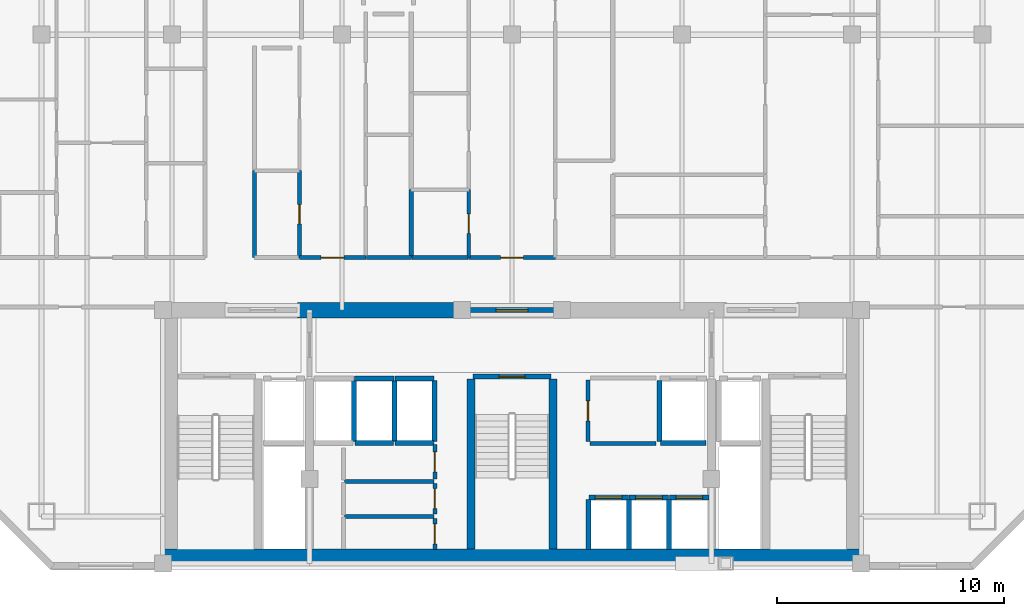
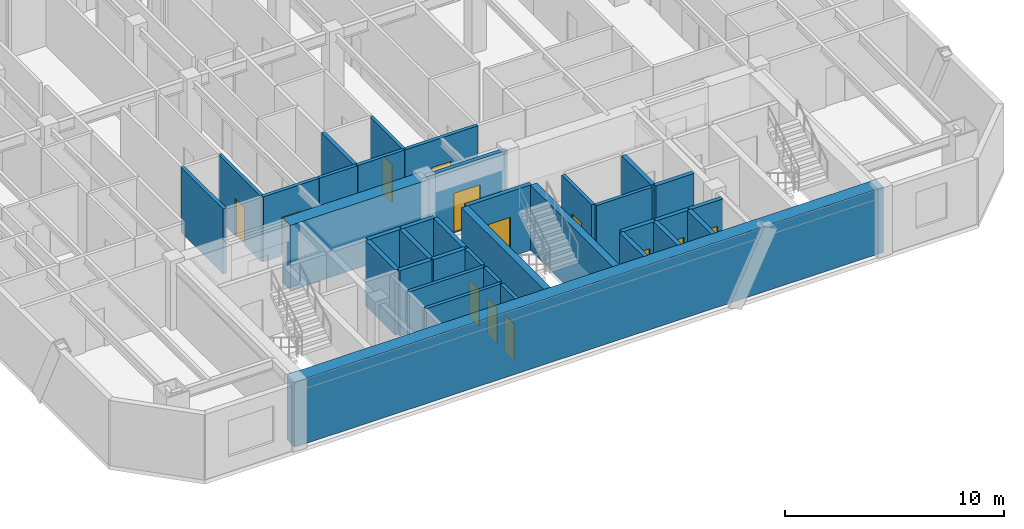
# One storey, part 3 of 9: 36 walls, 13 doors, 13 openings.
"""IFC4 building model written with IfcOpenShell, lengths in metres."""

from ifc_helpers import new_model, si_unit, direction, frame, frame_2d, origin, place, context, subcontext, project, spatial, rectangle, extrude, material, layer, layer_set, type_object, element, fill, save


model = new_model("IFC4")

# Units and contexts
model_context = context("Model", 3, precision=1e-05, world=origin(), true_north=direction((0.0, 1.0)))
body_context = subcontext(model_context, "Body", "Model", "MODEL_VIEW")
ifc_project = project(units=[si_unit("LENGTHUNIT", "METRE"), si_unit("AREAUNIT", "SQUARE_METRE"), si_unit("VOLUMEUNIT", "CUBIC_METRE"), si_unit("PLANEANGLEUNIT", "RADIAN"), si_unit("MASSUNIT", "GRAM", prefix="KILO")], contexts=[model_context])

# Site, building, storey
site_placement = place(None, origin())
site = spatial("IfcSite", under=ifc_project, at=site_placement, CompositionType="ELEMENT")
building_placement = place(site_placement, origin())
building = spatial("IfcBuilding", under=site, at=building_placement, Name="Ventersveld Concourse Tower", CompositionType="ELEMENT")
storey_placement = place(building_placement, frame((0.0, 0.0, 172.14990234375)))
storey = spatial("IfcBuildingStorey", under=building, at=storey_placement, Name="L42", CompositionType="ELEMENT", Elevation=172.14990234375)

# Walls
ifc_material_1 = material(Name="Concrete C60/75", Category="concrete")
ifc_layer_1 = layer(ifc_material_1, 0.35009765625)
ifc_layer_set_1 = layer_set([ifc_layer_1], Name="Concrete C60/75")
wall_type_1 = type_object("IfcWallType", Name="WL-CORE-350L", PredefinedType="SHEAR", material=ifc_layer_set_1)
for number, where, z_axis, x_axis, name in (
    (1, (26.93994140625, 0.919921875, 0.0), (0.0, 0.0, 1.0), (0.0, 1.0, 0.0), "L42 Core Internal Shear Web W-ST3-W"),
    (2, (30.56005859375, 0.919921875, 0.0), (0.0, 0.0, 1.0), (0.0, 1.0, 0.0), "L42 Core Internal Shear Web W-ST3-E"),
):
    element("IfcWall", number, at=place(storey_placement, frame(where, z_axis=z_axis, x_axis=x_axis)), inside=storey, type_object=wall_type_1, Name=name, PredefinedType="SHEAR", context=body_context, shape_type="SweptSolid", body=[
        extrude(rectangle(XDim=7.5, YDim=0.35009765625, at=frame_2d((3.75, 0.0))), origin(), (0.0, 0.0, 1.0), 3.630126953125),
    ])
ifc_layer_2 = layer(ifc_material_1, 0.699951171875)
ifc_layer_set_2 = layer_set([ifc_layer_2], Name="Concrete C60/75")
wall_type_2 = type_object("IfcWallType", Name="WL-CORE-700", PredefinedType="SHEAR", material=ifc_layer_set_2)
wall_1_placement = place(storey_placement, frame((13.25, 0.570068359375, 0.0), z_axis=(0.0, 0.0, 1.0), x_axis=(1.0, 0.0, 0.0)))
element("IfcWall", 3, at=wall_1_placement, inside=storey, type_object=wall_type_2, Name="L42 Rear Core South Shear Wall", PredefinedType="SHEAR", context=body_context, shape_type="SweptSolid", body=[
    extrude(rectangle(XDim=31.0, YDim=0.699951171875, at=frame_2d((15.5, 0.0))), origin(), (0.0, 0.0, 1.0), 3.630126953125),
])
wall_2_placement = place(storey_placement, frame((19.300048828125, 11.449951171875, 0.0), z_axis=(0.0, 0.0, 1.0), x_axis=(1.0, 0.0, 0.0)))
element("IfcWall", 4, at=wall_2_placement, inside=storey, type_object=wall_type_2, Name="L42 Rear Core North Shear Wall NML", PredefinedType="SHEAR", context=body_context, shape_type="SweptSolid", body=[
    extrude(rectangle(XDim=7.300048828125, YDim=0.699951171875, at=frame_2d((3.64990234375, 0.0))), origin(), (0.0, 0.0, 1.0), 3.630126953125),
])

# Wall, opening, door
ifc_material_2 = material(Name="Fire-rated autoclaved aerated masonry blockwork", Category="masonry")
ifc_layer_3 = layer(ifc_material_2, 0.179931640625)
ifc_layer_set_3 = layer_set([ifc_layer_3], Name="Fire-rated autoclaved aerated masonry blockwork")
wall_type_3 = type_object("IfcWallType", Name="WL-CORR-180", PredefinedType="PARTITIONING", material=ifc_layer_set_3)
wall_3_placement = place(storey_placement, frame((25.35009765625, 0.89990234375, 0.0), z_axis=(0.0, 0.0, 1.0), x_axis=(0.0, 1.0, 0.0)))
wall_3 = element("IfcWall", 5, at=wall_3_placement, inside=storey, type_object=wall_type_3, Name="L42 Core Passage Wall SP-L42-RECB1S", PredefinedType="PARTITIONING", context=body_context, shape_type="SweptSolid", body=[
    extrude(rectangle(XDim=1.3701171875, YDim=0.179931640625, at=frame_2d((0.68505859375, 0.0))), origin(), (0.0, 0.0, 1.0), 3.630126953125),
])
opening_1_placement = place(wall_3_placement, frame((0.2451171875, 0.0, 0.0)))
opening_1 = element("IfcOpeningElement", 6, at=opening_1_placement, cuts=wall_3, Name="Opening FD5", PredefinedType="OPENING", context=body_context, shape_type="SweptSolid", body=[
    extrude(rectangle(XDim=0.8798828125, YDim=2.050048828125, at=frame_2d((0.43994140625, 1.02490234375))), frame((0.0, 0.10009765625, 0.0), z_axis=(0.0, -1.0, 0.0), x_axis=(1.0, 0.0, 0.0)), (0.0, 0.0, 1.0), 0.199951171875),
])
ifc_material_3 = material(Name="Galvanised painted steel", Category="steel")
door_type_1 = type_object("IfcDoorType", Name="DR-RISER-088", OperationType="NOTDEFINED", PredefinedType="DOOR", material=ifc_material_3)
door_1_placement = place(opening_1_placement, origin())
door_1 = element("IfcDoor", 7, at=door_1_placement, inside=storey, type_object=door_type_1, Name="L42 Core Room Door L42 Reclaimed Core Wine Cellar Store (CD-L42-2047)", OperationType="SINGLE_SWING_RIGHT", OverallHeight=2.050048828125, OverallWidth=0.8798828125, PredefinedType="DOOR", context=body_context, shape_type="SweptSolid", body=[
    extrude(rectangle(XDim=0.8798828125, YDim=2.050048828125, at=frame_2d((0.43994140625, 1.02490234375))), frame((0.0, 0.02490234375, 0.0), z_axis=(0.0, -1.0, 0.0), x_axis=(1.0, 0.0, 0.0)), (0.0, 0.0, 1.0), 0.050048828125),
])
fill(opening_1, door_1)

# Wall
wall_4_placement = place(storey_placement, frame((21.360107421875, 2.360107421875, 0.0), z_axis=(0.0, 0.0, 1.0), x_axis=(1.0, 0.0, 0.0)))
element("IfcWall", 8, at=wall_4_placement, inside=storey, type_object=wall_type_3, Name="L42 Core Top Wall SP-L42-RECB1S", PredefinedType="PARTITIONING", context=body_context, shape_type="SweptSolid", body=[
    extrude(rectangle(XDim=3.93994140625, YDim=0.179931640625, at=frame_2d((1.969970703125, 0.0))), origin(), (0.0, 0.0, 1.0), 3.630126953125),
])

# Wall, opening, door
wall_5_placement = place(storey_placement, frame((25.35009765625, 2.469970703125, 0.0), z_axis=(0.0, 0.0, 1.0), x_axis=(0.0, 1.0, 0.0)))
wall_5 = element("IfcWall", 9, at=wall_5_placement, inside=storey, type_object=wall_type_3, Name="L42 Core Passage Wall SP-L42-RECB1M", PredefinedType="PARTITIONING", context=body_context, shape_type="SweptSolid", body=[
    extrude(rectangle(XDim=1.340087890625, YDim=0.179931640625, at=frame_2d((0.669921875, 0.0))), origin(), (0.0, 0.0, 1.0), 3.630126953125),
])
opening_2_placement = place(wall_5_placement, frame((0.22998046875, 0.0, 0.0)))
opening_2 = element("IfcOpeningElement", 10, at=opening_2_placement, cuts=wall_5, Name="Opening FD5", PredefinedType="OPENING", context=body_context, shape_type="SweptSolid", body=[
    extrude(rectangle(XDim=0.8798828125, YDim=2.050048828125, at=frame_2d((0.43994140625, 1.02490234375))), frame((0.0, 0.10009765625, 0.0), z_axis=(0.0, -1.0, 0.0), x_axis=(1.0, 0.0, 0.0)), (0.0, 0.0, 1.0), 0.199951171875),
])
door_2_placement = place(opening_2_placement, origin())
door_2 = element("IfcDoor", 11, at=door_2_placement, inside=storey, type_object=door_type_1, Name="L42 Core Room Door L42 Reclaimed Core Archive Store (CD-L42-2048)", OperationType="SINGLE_SWING_LEFT", OverallHeight=2.050048828125, OverallWidth=0.8798828125, PredefinedType="DOOR", context=body_context, shape_type="SweptSolid", body=[
    extrude(rectangle(XDim=0.8798828125, YDim=2.050048828125, at=frame_2d((0.43994140625, 1.02490234375))), frame((0.0, 0.02490234375, 0.0), z_axis=(0.0, -1.0, 0.0), x_axis=(1.0, 0.0, 0.0)), (0.0, 0.0, 1.0), 0.050048828125),
])
fill(opening_2, door_2)

# Wall
wall_6_placement = place(storey_placement, frame((21.360107421875, 3.89990234375, 0.0), z_axis=(0.0, 0.0, 1.0), x_axis=(1.0, 0.0, 0.0)))
element("IfcWall", 12, at=wall_6_placement, inside=storey, type_object=wall_type_3, Name="L42 Core Top Wall SP-L42-RECB1M", PredefinedType="PARTITIONING", context=body_context, shape_type="SweptSolid", body=[
    extrude(rectangle(XDim=3.93994140625, YDim=0.179931640625, at=frame_2d((1.969970703125, 0.0))), origin(), (0.0, 0.0, 1.0), 3.630126953125),
])

# Wall, opening, door
wall_7_placement = place(storey_placement, frame((25.35009765625, 4.010009765625, 0.0), z_axis=(0.0, 0.0, 1.0), x_axis=(0.0, 1.0, 0.0)))
wall_7 = element("IfcWall", 13, at=wall_7_placement, inside=storey, type_object=wall_type_3, Name="L42 Core Passage Wall SP-L42-RECB1N", PredefinedType="PARTITIONING", context=body_context, shape_type="SweptSolid", body=[
    extrude(rectangle(XDim=1.510009765625, YDim=0.179931640625, at=frame_2d((0.7548828125, 0.0))), origin(), (0.0, 0.0, 1.0), 3.630126953125),
])
opening_3_placement = place(wall_7_placement, frame((0.31494140625, 0.0, 0.0)))
opening_3 = element("IfcOpeningElement", 14, at=opening_3_placement, cuts=wall_7, Name="Opening FD5", PredefinedType="OPENING", context=body_context, shape_type="SweptSolid", body=[
    extrude(rectangle(XDim=0.8798828125, YDim=2.050048828125, at=frame_2d((0.43994140625, 1.02490234375))), frame((0.0, 0.10009765625, 0.0), z_axis=(0.0, -1.0, 0.0), x_axis=(1.0, 0.0, 0.0)), (0.0, 0.0, 1.0), 0.199951171875),
])
door_3_placement = place(opening_3_placement, origin())
door_3 = element("IfcDoor", 15, at=door_3_placement, inside=storey, type_object=door_type_1, Name="L42 Core Room Door L42 Reclaimed Core Pram and Cycle Store (CD-L42-2049)", OperationType="SINGLE_SWING_RIGHT", OverallHeight=2.050048828125, OverallWidth=0.8798828125, PredefinedType="DOOR", context=body_context, shape_type="SweptSolid", body=[
    extrude(rectangle(XDim=0.8798828125, YDim=2.050048828125, at=frame_2d((0.43994140625, 1.02490234375))), frame((0.0, 0.02490234375, 0.0), z_axis=(0.0, -1.0, 0.0), x_axis=(1.0, 0.0, 0.0)), (0.0, 0.0, 1.0), 0.050048828125),
])
fill(opening_3, door_3)

wall_8_placement = place(storey_placement, frame((32.10009765625, 5.64990234375, 0.0), z_axis=(0.0, 0.0, 1.0), x_axis=(0.0, 1.0, 0.0)))
wall_8 = element("IfcWall", 16, at=wall_8_placement, inside=storey, type_object=wall_type_3, Name="L42 Core Passage Wall SP-L42-CBAY1", PredefinedType="PARTITIONING", context=body_context, shape_type="SweptSolid", body=[
    extrude(rectangle(XDim=2.72998046875, YDim=0.179931640625, at=frame_2d((1.364990234375, 0.0))), origin(), (0.0, 0.0, 1.0), 3.630126953125),
])
opening_4_placement = place(wall_8_placement, frame((0.925048828125, 0.0, 0.0)))
opening_4 = element("IfcOpeningElement", 17, at=opening_4_placement, cuts=wall_8, Name="Opening FD5", PredefinedType="OPENING", context=body_context, shape_type="SweptSolid", body=[
    extrude(rectangle(XDim=0.8798828125, YDim=2.050048828125, at=frame_2d((0.43994140625, 1.02490234375))), frame((0.0, 0.10009765625, 0.0), z_axis=(0.0, -1.0, 0.0), x_axis=(1.0, 0.0, 0.0)), (0.0, 0.0, 1.0), 0.199951171875),
])
door_4_placement = place(opening_4_placement, origin())
door_4 = element("IfcDoor", 18, at=door_4_placement, inside=storey, type_object=door_type_1, Name="L42 Core Room Door L42 Core Housekeeping Linen Store (CD-L42-2050)", OperationType="SINGLE_SWING_LEFT", OverallHeight=2.050048828125, OverallWidth=0.8798828125, PredefinedType="DOOR", context=body_context, shape_type="SweptSolid", body=[
    extrude(rectangle(XDim=0.8798828125, YDim=2.050048828125, at=frame_2d((0.43994140625, 1.02490234375))), frame((0.0, 0.02490234375, 0.0), z_axis=(0.0, -1.0, 0.0), x_axis=(1.0, 0.0, 0.0)), (0.0, 0.0, 1.0), 0.050048828125),
])
fill(opening_4, door_4)

# Wall
wall_9_placement = place(storey_placement, frame((32.179931640625, 5.570068359375, 0.0), z_axis=(0.0, 0.0, 1.0), x_axis=(1.0, 0.0, 0.0)))
element("IfcWall", 19, at=wall_9_placement, inside=storey, type_object=wall_type_3, Name="L42 Core Bot Wall SP-L42-CBAY1", PredefinedType="PARTITIONING", context=body_context, shape_type="SweptSolid", body=[
    extrude(rectangle(XDim=2.920166015625, YDim=0.179931640625, at=frame_2d((1.4599609375, 0.0))), origin(), (0.0, 0.0, 1.0), 3.630126953125),
])

# Wall, opening, door
wall_10_placement = place(storey_placement, frame((19.370849609375, 13.77001953125, 0.0), z_axis=(0.0, 0.0, 1.0), x_axis=(1.0, 0.0, 0.0)))
wall_10 = element("IfcWall", 20, at=wall_10_placement, inside=storey, type_object=wall_type_3, Name="L42 Interior Partition SP-L42-COR-SP-L42-42CW-LIV", PredefinedType="PARTITIONING", context=body_context, shape_type="SweptSolid", body=[
    extrude(rectangle(XDim=2.930419921875, YDim=0.179931640625, at=frame_2d((1.46533203125, 0.0))), origin(), (0.0, 0.0, 1.0), 3.630126953125),
])
opening_5_placement = place(wall_10_placement, frame((0.965087890625, 0.0, 0.0)))
opening_5 = element("IfcOpeningElement", 21, at=opening_5_placement, cuts=wall_10, Name="Opening FD3", PredefinedType="OPENING", context=body_context, shape_type="SweptSolid", body=[
    extrude(rectangle(XDim=1.0, YDim=2.14990234375, at=frame_2d((0.5, 1.074951171875))), frame((0.0, 0.10009765625, 0.0), z_axis=(0.0, -1.0, 0.0), x_axis=(1.0, 0.0, 0.0)), (0.0, 0.0, 1.0), 0.199951171875),
])
ifc_material_4 = material(Name="Solid-core hardwood veneer timber", Category="wood")
door_type_2 = type_object("IfcDoorType", Name="DR-FLAT-100", OperationType="NOTDEFINED", PredefinedType="DOOR", material=ifc_material_4)
door_5_placement = place(opening_5_placement, origin())
door_5 = element("IfcDoor", 22, at=door_5_placement, inside=storey, type_object=door_type_2, Name="L42 Interior Door SP-L42-COR to SP-L42-42CW-LIV (FD-L42-2054)", OperationType="SINGLE_SWING_RIGHT", OverallHeight=2.14990234375, OverallWidth=1.0, PredefinedType="DOOR", context=body_context, shape_type="SweptSolid", body=[
    extrude(rectangle(XDim=1.0, YDim=2.14990234375, at=frame_2d((0.5, 1.074951171875))), frame((0.0, 0.02490234375, 0.0), z_axis=(0.0, -1.0, 0.0), x_axis=(1.0, 0.0, 0.0)), (0.0, 0.0, 1.0), 0.050048828125),
])
fill(opening_5, door_5)

# Walls
wall_11_placement = place(storey_placement, frame((17.389892578125, 13.764892578125, 0.0), z_axis=(0.0, 0.0, 1.0), x_axis=(0.0, 1.0, 0.0)))
element("IfcWall", 23, at=wall_11_placement, inside=storey, type_object=wall_type_3, Name="L42 Interior Partition SP-L42-COR-SP-L42-42CW-BATH", PredefinedType="PARTITIONING", context=body_context, shape_type="SweptSolid", body=[
    extrude(rectangle(XDim=3.844970703125, YDim=0.179931640625, at=frame_2d((1.92236328125, 0.0))), origin(), (0.0, 0.0, 1.0), 3.630126953125),
])
wall_12_placement = place(storey_placement, frame((22.331298828125, 13.77001953125, 0.0), z_axis=(0.0, 0.0, 1.0), x_axis=(1.0, 0.0, 0.0)))
element("IfcWall", 24, at=wall_12_placement, inside=storey, type_object=wall_type_3, Name="L42 Interior Partition SP-L42-COR-SP-L42-42CW-KIT", PredefinedType="PARTITIONING", context=body_context, shape_type="SweptSolid", body=[
    extrude(rectangle(XDim=1.983642578125, YDim=0.179931640625, at=frame_2d((0.99169921875, 0.0))), origin(), (0.0, 0.0, 1.0), 3.630126953125),
])

# Wall, opening, door
wall_13_placement = place(storey_placement, frame((26.833984375, 13.77001953125, 0.0), z_axis=(0.0, 0.0, 1.0), x_axis=(1.0, 0.0, 0.0)))
wall_13 = element("IfcWall", 25, at=wall_13_placement, inside=storey, type_object=wall_type_3, Name="L42 Interior Partition SP-L42-COR-SP-L42-42CM-LIV", PredefinedType="PARTITIONING", context=body_context, shape_type="SweptSolid", body=[
    extrude(rectangle(XDim=3.83203125, YDim=0.179931640625, at=frame_2d((1.916015625, 0.0))), origin(), (0.0, 0.0, 1.0), 3.630126953125),
])
opening_6_placement = place(wall_13_placement, frame((1.416015625, 0.0, 0.0)))
opening_6 = element("IfcOpeningElement", 26, at=opening_6_placement, cuts=wall_13, Name="Opening FD3", PredefinedType="OPENING", context=body_context, shape_type="SweptSolid", body=[
    extrude(rectangle(XDim=1.0, YDim=2.14990234375, at=frame_2d((0.5, 1.074951171875))), frame((0.0, 0.10009765625, 0.0), z_axis=(0.0, -1.0, 0.0), x_axis=(1.0, 0.0, 0.0)), (0.0, 0.0, 1.0), 0.199951171875),
])
door_6_placement = place(opening_6_placement, origin())
door_6 = element("IfcDoor", 27, at=door_6_placement, inside=storey, type_object=door_type_2, Name="L42 Interior Door SP-L42-COR to SP-L42-42CM-LIV (FD-L42-2056)", OperationType="SINGLE_SWING_RIGHT", OverallHeight=2.14990234375, OverallWidth=1.0, PredefinedType="DOOR", context=body_context, shape_type="SweptSolid", body=[
    extrude(rectangle(XDim=1.0, YDim=2.14990234375, at=frame_2d((0.5, 1.074951171875))), frame((0.0, 0.02490234375, 0.0), z_axis=(0.0, -1.0, 0.0), x_axis=(1.0, 0.0, 0.0)), (0.0, 0.0, 1.0), 0.050048828125),
])
fill(opening_6, door_6)

# Walls
wall_14_placement = place(storey_placement, frame((24.344970703125, 13.77001953125, 0.0), z_axis=(0.0, 0.0, 1.0), x_axis=(1.0, 0.0, 0.0)))
element("IfcWall", 28, at=wall_14_placement, inside=storey, type_object=wall_type_3, Name="L42 Interior Partition SP-L42-COR-SP-L42-42CM-BATH", PredefinedType="PARTITIONING", context=body_context, shape_type="SweptSolid", body=[
    extrude(rectangle(XDim=2.458984375, YDim=0.179931640625, at=frame_2d((1.2294921875, 0.0))), origin(), (0.0, 0.0, 1.0), 3.630126953125),
])
ifc_layer_4 = layer(ifc_material_2, 0.199951171875)
ifc_layer_set_4 = layer_set([ifc_layer_4], Name="Fire-rated autoclaved aerated masonry blockwork")
wall_type_4 = type_object("IfcWallType", Name="WL-DEMISE-200", PredefinedType="PARTITIONING", material=ifc_layer_set_4)
wall_15_placement = place(storey_placement, frame((24.31005859375, 13.764892578125, 0.0), z_axis=(0.0, 0.0, 1.0), x_axis=(0.0, 1.0, 0.0)))
element("IfcWall", 29, at=wall_15_placement, inside=storey, type_object=wall_type_4, Name="L42 Interior Partition SP-L42-42CW-KIT-SP-L42-42CM-BATH", PredefinedType="PARTITIONING", context=body_context, shape_type="SweptSolid", body=[
    extrude(rectangle(XDim=2.999755859375, YDim=0.199951171875, at=frame_2d((1.5, 0.0))), origin(), (0.0, 0.0, 1.0), 3.630126953125),
])
ifc_layer_5 = layer(ifc_material_2, 0.219970703125)
ifc_layer_set_5 = layer_set([ifc_layer_5], Name="Fire-rated autoclaved aerated masonry blockwork")
wall_type_5 = type_object("IfcWallType", Name="WL-HOIST-220", PredefinedType="SOLIDWALL", material=ifc_layer_set_5)
wall_16_placement = place(storey_placement, frame((35.300048828125, 5.590087890625, 0.0), z_axis=(0.0, 0.0, 1.0), x_axis=(1.0, 0.0, 0.0)))
element("IfcWall", 30, at=wall_16_placement, inside=storey, type_object=wall_type_5, Name="L42 Lift Hoistway Back Wall SVL-01", PredefinedType="SOLIDWALL", context=body_context, shape_type="SweptSolid", body=[
    extrude(rectangle(XDim=2.0, YDim=0.219970703125, at=frame_2d((1.0, 0.0))), origin(), (0.0, 0.0, 1.0), 3.630126953125),
])
wall_17_placement = place(storey_placement, frame((35.260009765625, 5.64990234375, 0.0), z_axis=(0.0, 0.0, 1.0), x_axis=(0.0, 1.0, 0.0)))
element("IfcWall", 31, at=wall_17_placement, inside=storey, type_object=wall_type_5, Name="L42 Lift Hoistway Side Wall SVL-01W", PredefinedType="SOLIDWALL", context=body_context, shape_type="SweptSolid", body=[
    extrude(rectangle(XDim=2.7001953125, YDim=0.219970703125, at=frame_2d((1.35009765625, 0.0))), origin(), (0.0, 0.0, 1.0), 3.630126953125),
])
for number, where, z_axis, x_axis, name in (
    (32, (32.1201171875, 0.89990234375, 0.0), (0.0, 0.0, 1.0), (0.0, 1.0, 0.0), "L42 Lift Hoistway Side Wall PM-01W"),
    (33, (33.89990234375, 0.89990234375, 0.0), (0.0, 0.0, 1.0), (0.0, 1.0, 0.0), "L42 Lift Hoistway Side Wall PM-01E"),
):
    element("IfcWall", number, at=place(storey_placement, frame(where, z_axis=z_axis, x_axis=x_axis)), inside=storey, type_object=wall_type_5, Name=name, PredefinedType="SOLIDWALL", context=body_context, shape_type="SweptSolid", body=[
        extrude(rectangle(XDim=2.2001953125, YDim=0.219970703125, at=frame_2d((1.10009765625, 0.0))), origin(), (0.0, 0.0, 1.0), 3.630126953125),
    ])

# Wall, opening, door
wall_18_placement = place(storey_placement, frame((32.139892578125, 3.179931640625, 0.0), z_axis=(0.0, 0.0, 1.0), x_axis=(1.0, 0.0, 0.0)))
wall_18 = element("IfcWall", 34, at=wall_18_placement, inside=storey, type_object=wall_type_5, Name="L42 Lift Hoistway Front Wall PM-01", PredefinedType="SOLIDWALL", context=body_context, shape_type="SweptSolid", body=[
    extrude(rectangle(XDim=1.739990234375, YDim=0.219970703125, at=frame_2d((0.8701171875, 0.0))), origin(), (0.0, 0.0, 1.0), 3.630126953125),
])
opening_7_placement = place(wall_18_placement, frame((0.280029296875, 0.0, 0.0)))
opening_7 = element("IfcOpeningElement", 35, at=opening_7_placement, cuts=wall_18, Name="Opening LD2", PredefinedType="OPENING", context=body_context, shape_type="SweptSolid", body=[
    extrude(rectangle(XDim=1.179931640625, YDim=2.199951171875, at=frame_2d((0.58984375, 1.10009765625))), frame((0.0, 0.1201171875, 0.0), z_axis=(0.0, -1.0, 0.0), x_axis=(1.0, 0.0, 0.0)), (0.0, 0.0, 1.0), 0.239990234375),
])
ifc_material_5 = material(Name="Brushed stainless steel 316", Category="steel")
door_type_3 = type_object("IfcDoorType", Name="LD-PAX-118", OperationType="SLIDING_TO_LEFT", PredefinedType="DOOR", material=ifc_material_5)
door_7_placement = place(opening_7_placement, origin())
door_7 = element("IfcDoor", 36, at=door_7_placement, inside=storey, type_object=door_type_3, Name="L42 Lift landing door PM-01 (LD-L42-PM-01)", OperationType="SLIDING_TO_RIGHT", OverallHeight=2.199951171875, OverallWidth=1.179931640625, PredefinedType="DOOR", context=body_context, shape_type="SweptSolid", body=[
    extrude(rectangle(XDim=1.179931640625, YDim=2.199951171875, at=frame_2d((0.58984375, 1.10009765625))), frame((0.0, 0.02490234375, 0.0), z_axis=(0.0, -1.0, 0.0), x_axis=(1.0, 0.0, 0.0)), (0.0, 0.0, 1.0), 0.050048828125),
])
fill(opening_7, door_7)

# Wall
wall_19_placement = place(storey_placement, frame((35.679931640625, 0.89990234375, 0.0), z_axis=(0.0, 0.0, 1.0), x_axis=(0.0, 1.0, 0.0)))
element("IfcWall", 37, at=wall_19_placement, inside=storey, type_object=wall_type_5, Name="L42 Lift Hoistway Side Wall PM-02E", PredefinedType="SOLIDWALL", context=body_context, shape_type="SweptSolid", body=[
    extrude(rectangle(XDim=2.2001953125, YDim=0.219970703125, at=frame_2d((1.10009765625, 0.0))), origin(), (0.0, 0.0, 1.0), 3.630126953125),
])

# Wall, opening, door
wall_20_placement = place(storey_placement, frame((33.919921875, 3.179931640625, 0.0), z_axis=(0.0, 0.0, 1.0), x_axis=(1.0, 0.0, 0.0)))
wall_20 = element("IfcWall", 38, at=wall_20_placement, inside=storey, type_object=wall_type_5, Name="L42 Lift Hoistway Front Wall PM-02", PredefinedType="SOLIDWALL", context=body_context, shape_type="SweptSolid", body=[
    extrude(rectangle(XDim=1.739990234375, YDim=0.219970703125, at=frame_2d((0.8701171875, 0.0))), origin(), (0.0, 0.0, 1.0), 3.630126953125),
])
opening_8_placement = place(wall_20_placement, frame((0.280029296875, 0.0, 0.0)))
opening_8 = element("IfcOpeningElement", 39, at=opening_8_placement, cuts=wall_20, Name="Opening LD2", PredefinedType="OPENING", context=body_context, shape_type="SweptSolid", body=[
    extrude(rectangle(XDim=1.179931640625, YDim=2.199951171875, at=frame_2d((0.58984375, 1.10009765625))), frame((0.0, 0.1201171875, 0.0), z_axis=(0.0, -1.0, 0.0), x_axis=(1.0, 0.0, 0.0)), (0.0, 0.0, 1.0), 0.239990234375),
])
door_8_placement = place(opening_8_placement, origin())
door_8 = element("IfcDoor", 40, at=door_8_placement, inside=storey, type_object=door_type_3, Name="L42 Lift landing door PM-02 (LD-L42-PM-02)", OperationType="SLIDING_TO_LEFT", OverallHeight=2.199951171875, OverallWidth=1.179931640625, PredefinedType="DOOR", context=body_context, shape_type="SweptSolid", body=[
    extrude(rectangle(XDim=1.179931640625, YDim=2.199951171875, at=frame_2d((0.58984375, 1.10009765625))), frame((0.0, 0.02490234375, 0.0), z_axis=(0.0, -1.0, 0.0), x_axis=(1.0, 0.0, 0.0)), (0.0, 0.0, 1.0), 0.050048828125),
])
fill(opening_8, door_8)

wall_21_placement = place(storey_placement, frame((35.699951171875, 3.179931640625, 0.0), z_axis=(0.0, 0.0, 1.0), x_axis=(1.0, 0.0, 0.0)))
wall_21 = element("IfcWall", 41, at=wall_21_placement, inside=storey, type_object=wall_type_5, Name="L42 Lift Hoistway Front Wall PM-03", PredefinedType="SOLIDWALL", context=body_context, shape_type="SweptSolid", body=[
    extrude(rectangle(XDim=1.739990234375, YDim=0.219970703125, at=frame_2d((0.8701171875, 0.0))), origin(), (0.0, 0.0, 1.0), 3.630126953125),
])
opening_9_placement = place(wall_21_placement, frame((0.280029296875, 0.0, 0.0)))
opening_9 = element("IfcOpeningElement", 42, at=opening_9_placement, cuts=wall_21, Name="Opening LD2", PredefinedType="OPENING", context=body_context, shape_type="SweptSolid", body=[
    extrude(rectangle(XDim=1.179931640625, YDim=2.199951171875, at=frame_2d((0.58984375, 1.10009765625))), frame((0.0, 0.1201171875, 0.0), z_axis=(0.0, -1.0, 0.0), x_axis=(1.0, 0.0, 0.0)), (0.0, 0.0, 1.0), 0.239990234375),
])
door_9_placement = place(opening_9_placement, origin())
door_9 = element("IfcDoor", 43, at=door_9_placement, inside=storey, type_object=door_type_3, Name="L42 Lift landing door PM-03 (LD-L42-PM-03)", OperationType="SLIDING_TO_RIGHT", OverallHeight=2.199951171875, OverallWidth=1.179931640625, PredefinedType="DOOR", context=body_context, shape_type="SweptSolid", body=[
    extrude(rectangle(XDim=1.179931640625, YDim=2.199951171875, at=frame_2d((0.58984375, 1.10009765625))), frame((0.0, 0.02490234375, 0.0), z_axis=(0.0, -1.0, 0.0), x_axis=(1.0, 0.0, 0.0)), (0.0, 0.0, 1.0), 0.050048828125),
])
fill(opening_9, door_9)

# Walls
wall_22_placement = place(storey_placement, frame((21.780029296875, 5.64990234375, 0.0), z_axis=(0.0, 0.0, 1.0), x_axis=(0.0, 1.0, 0.0)))
element("IfcWall", 44, at=wall_22_placement, inside=storey, type_object=wall_type_5, Name="L42 Lift Hoistway Side Wall PH-01E", PredefinedType="SOLIDWALL", context=body_context, shape_type="SweptSolid", body=[
    extrude(rectangle(XDim=2.7001953125, YDim=0.219970703125, at=frame_2d((1.35009765625, 0.0))), origin(), (0.0, 0.0, 1.0), 3.630126953125),
])
wall_23_placement = place(storey_placement, frame((21.820068359375, 5.590087890625, 0.0), z_axis=(0.0, 0.0, 1.0), x_axis=(1.0, 0.0, 0.0)))
element("IfcWall", 45, at=wall_23_placement, inside=storey, type_object=wall_type_5, Name="L42 Lift Hoistway Back Wall PH-02", PredefinedType="SOLIDWALL", context=body_context, shape_type="SweptSolid", body=[
    extrude(rectangle(XDim=1.699951171875, YDim=0.219970703125, at=frame_2d((0.85009765625, 0.0))), origin(), (0.0, 0.0, 1.0), 3.630126953125),
])
wall_24_placement = place(storey_placement, frame((23.56005859375, 5.64990234375, 0.0), z_axis=(0.0, 0.0, 1.0), x_axis=(0.0, 1.0, 0.0)))
element("IfcWall", 46, at=wall_24_placement, inside=storey, type_object=wall_type_5, Name="L42 Lift Hoistway Side Wall PH-02E", PredefinedType="SOLIDWALL", context=body_context, shape_type="SweptSolid", body=[
    extrude(rectangle(XDim=2.7001953125, YDim=0.219970703125, at=frame_2d((1.35009765625, 0.0))), origin(), (0.0, 0.0, 1.0), 3.630126953125),
])
wall_25_placement = place(storey_placement, frame((21.800048828125, 8.429931640625, 0.0), z_axis=(0.0, 0.0, 1.0), x_axis=(1.0, 0.0, 0.0)))
element("IfcWall", 47, at=wall_25_placement, inside=storey, type_object=wall_type_5, Name="L42 Lift Hoistway Front Wall PH-02", PredefinedType="SOLIDWALL", context=body_context, shape_type="SweptSolid", body=[
    extrude(rectangle(XDim=1.739990234375, YDim=0.219970703125, at=frame_2d((0.8701171875, 0.0))), origin(), (0.0, 0.0, 1.0), 3.630126953125),
])
wall_26_placement = place(storey_placement, frame((23.60009765625, 5.590087890625, 0.0), z_axis=(0.0, 0.0, 1.0), x_axis=(1.0, 0.0, 0.0)))
element("IfcWall", 48, at=wall_26_placement, inside=storey, type_object=wall_type_5, Name="L42 Lift Hoistway Back Wall PH-03", PredefinedType="SOLIDWALL", context=body_context, shape_type="SweptSolid", body=[
    extrude(rectangle(XDim=1.699951171875, YDim=0.219970703125, at=frame_2d((0.85009765625, 0.0))), origin(), (0.0, 0.0, 1.0), 3.630126953125),
])
wall_27_placement = place(storey_placement, frame((25.340087890625, 5.64990234375, 0.0), z_axis=(0.0, 0.0, 1.0), x_axis=(0.0, 1.0, 0.0)))
element("IfcWall", 49, at=wall_27_placement, inside=storey, type_object=wall_type_5, Name="L42 Lift Hoistway Side Wall PH-03E", PredefinedType="SOLIDWALL", context=body_context, shape_type="SweptSolid", body=[
    extrude(rectangle(XDim=2.7001953125, YDim=0.219970703125, at=frame_2d((1.35009765625, 0.0))), origin(), (0.0, 0.0, 1.0), 3.630126953125),
])
wall_28_placement = place(storey_placement, frame((23.580078125, 8.429931640625, 0.0), z_axis=(0.0, 0.0, 1.0), x_axis=(1.0, 0.0, 0.0)))
element("IfcWall", 50, at=wall_28_placement, inside=storey, type_object=wall_type_5, Name="L42 Lift Hoistway Front Wall PH-03", PredefinedType="SOLIDWALL", context=body_context, shape_type="SweptSolid", body=[
    extrude(rectangle(XDim=1.739990234375, YDim=0.219970703125, at=frame_2d((0.8701171875, 0.0))), origin(), (0.0, 0.0, 1.0), 3.630126953125),
])

# Wall, opening, door
wall_29_placement = place(storey_placement, frame((27.0400390625, 8.52001953125, 0.0), z_axis=(0.0, 0.0, 1.0), x_axis=(1.0, 0.0, 0.0)))
wall_29 = element("IfcWall", 51, at=wall_29_placement, inside=storey, type_object=wall_type_5, Name="L42 Escape Stair ST03 Fire Wall", PredefinedType="SOLIDWALL", context=body_context, shape_type="SweptSolid", body=[
    extrude(rectangle(XDim=3.419921875, YDim=0.219970703125, at=frame_2d((1.7099609375, 0.0))), origin(), (0.0, 0.0, 1.0), 3.630126953125),
])
opening_10_placement = place(wall_29_placement, frame((1.135009765625, 0.0, 0.0)))
opening_10 = element("IfcOpeningElement", 52, at=opening_10_placement, cuts=wall_29, Name="Opening FD1", PredefinedType="OPENING", context=body_context, shape_type="SweptSolid", body=[
    extrude(rectangle(XDim=1.14990234375, YDim=2.199951171875, at=frame_2d((0.574951171875, 1.10009765625))), frame((0.0, 0.1201171875, 0.0), z_axis=(0.0, -1.0, 0.0), x_axis=(1.0, 0.0, 0.0)), (0.0, 0.0, 1.0), 0.239990234375),
])
door_type_4 = type_object("IfcDoorType", Name="DR-STAIR-115", OperationType="NOTDEFINED", PredefinedType="DOOR", material=ifc_material_3)
door_10_placement = place(opening_10_placement, origin())
door_10 = element("IfcDoor", 53, at=door_10_placement, inside=storey, type_object=door_type_4, Name="L42 Escape Stair Door ST03 (SD-L42-2041)", OperationType="SINGLE_SWING_LEFT", OverallHeight=2.199951171875, OverallWidth=1.14990234375, PredefinedType="DOOR", context=body_context, shape_type="SweptSolid", body=[
    extrude(rectangle(XDim=1.14990234375, YDim=2.199951171875, at=frame_2d((0.574951171875, 1.10009765625))), frame((0.0, 0.02490234375, 0.0), z_axis=(0.0, -1.0, 0.0), x_axis=(1.0, 0.0, 0.0)), (0.0, 0.0, 1.0), 0.050048828125),
])
fill(opening_10, door_10)

wall_30_placement = place(storey_placement, frame((26.6298828125, 11.449951171875, 0.0), z_axis=(0.0, 0.0, 1.0), x_axis=(1.0, 0.0, 0.0)))
wall_30 = element("IfcWall", 54, at=wall_30_placement, inside=storey, type_object=wall_type_5, Name="L42 Core North Fire Portal PLOB-OUT", PredefinedType="SOLIDWALL", context=body_context, shape_type="SweptSolid", body=[
    extrude(rectangle(XDim=4.240234375, YDim=0.219970703125, at=frame_2d((2.1201171875, 0.0))), origin(), (0.0, 0.0, 1.0), 3.630126953125),
])
opening_11_placement = place(wall_30_placement, frame((1.419921875, 0.0, 0.0)))
opening_11 = element("IfcOpeningElement", 55, at=opening_11_placement, cuts=wall_30, Name="Opening FD4", PredefinedType="OPENING", context=body_context, shape_type="SweptSolid", body=[
    extrude(rectangle(XDim=1.39990234375, YDim=2.199951171875, at=frame_2d((0.699951171875, 1.10009765625))), frame((0.0, 0.1201171875, 0.0), z_axis=(0.0, -1.0, 0.0), x_axis=(1.0, 0.0, 0.0)), (0.0, 0.0, 1.0), 0.239990234375),
])
door_type_5 = type_object("IfcDoorType", Name="DR-PLANT-140", OperationType="DOUBLE_DOOR_SINGLE_SWING", PredefinedType="DOOR", material=ifc_material_3)
door_11_placement = place(opening_11_placement, origin())
door_11 = element("IfcDoor", 56, at=door_11_placement, inside=storey, type_object=door_type_5, Name="L42 Core Lobby Fire Door PLOB-OUT (FD-L42-2045)", OperationType="DOUBLE_DOOR_SINGLE_SWING", OverallHeight=2.199951171875, OverallWidth=1.39990234375, PredefinedType="DOOR", context=body_context, shape_type="SweptSolid", body=[
    extrude(rectangle(XDim=1.39990234375, YDim=2.199951171875, at=frame_2d((0.699951171875, 1.10009765625))), frame((0.0, 0.02490234375, 0.0), z_axis=(0.0, -1.0, 0.0), x_axis=(1.0, 0.0, 0.0)), (0.0, 0.0, 1.0), 0.050048828125),
])
fill(opening_11, door_11)

ifc_material_6 = material(Name="Autoclaved aerated masonry blockwork", Category="masonry")
ifc_layer_6 = layer(ifc_material_6, 0.1650390625)
ifc_layer_set_6 = layer_set([ifc_layer_6], Name="Autoclaved aerated masonry blockwork")
wall_type_6 = type_object("IfcWallType", Name="WL-WET-165", PredefinedType="PLUMBINGWALL", material=ifc_layer_set_6)
wall_31_placement = place(storey_placement, frame((19.375732421875, 13.764892578125, 0.0), z_axis=(0.0, 0.0, 1.0), x_axis=(0.0, 1.0, 0.0)))
wall_31 = element("IfcWall", 57, at=wall_31_placement, inside=storey, type_object=wall_type_6, Name="L42 Interior Partition SP-L42-42CW-LIV-SP-L42-42CW-BATH", PredefinedType="PLUMBINGWALL", context=body_context, shape_type="SweptSolid", body=[
    extrude(rectangle(XDim=3.844970703125, YDim=0.1650390625, at=frame_2d((1.92236328125, 0.0))), origin(), (0.0, 0.0, 1.0), 3.630126953125),
])
opening_12_placement = place(wall_31_placement, frame((1.497314453125, 0.0, 0.0)))
opening_12 = element("IfcOpeningElement", 58, at=opening_12_placement, cuts=wall_31, Name="Opening ID2", PredefinedType="OPENING", context=body_context, shape_type="SweptSolid", body=[
    extrude(rectangle(XDim=0.85009765625, YDim=2.10009765625, at=frame_2d((0.425048828125, 1.050048828125))), frame((0.0, 0.092529296875, 0.0), z_axis=(0.0, -1.0, 0.0), x_axis=(1.0, 0.0, 0.0)), (0.0, 0.0, 1.0), 0.18505859375),
])
door_type_6 = type_object("IfcDoorType", Name="DR-BATH-085", OperationType="NOTDEFINED", PredefinedType="DOOR", material=ifc_material_4)
door_12_placement = place(opening_12_placement, origin())
door_12 = element("IfcDoor", 59, at=door_12_placement, inside=storey, type_object=door_type_6, Name="L42 Interior Door SP-L42-42CW-LIV to SP-L42-42CW-BATH (D-L42-2067)", OperationType="SINGLE_SWING_LEFT", OverallHeight=2.10009765625, OverallWidth=0.85009765625, PredefinedType="DOOR", context=body_context, shape_type="SweptSolid", body=[
    extrude(rectangle(XDim=0.85009765625, YDim=2.10009765625, at=frame_2d((0.425048828125, 1.050048828125))), frame((0.0, 0.02490234375, 0.0), z_axis=(0.0, -1.0, 0.0), x_axis=(1.0, 0.0, 0.0)), (0.0, 0.0, 1.0), 0.050048828125),
])
fill(opening_12, door_12)

wall_32_placement = place(storey_placement, frame((26.839111328125, 13.764892578125, 0.0), z_axis=(0.0, 0.0, 1.0), x_axis=(0.0, 1.0, 0.0)))
wall_32 = element("IfcWall", 60, at=wall_32_placement, inside=storey, type_object=wall_type_6, Name="L42 Interior Partition SP-L42-42CM-LIV-SP-L42-42CM-BATH", PredefinedType="PLUMBINGWALL", context=body_context, shape_type="SweptSolid", body=[
    extrude(rectangle(XDim=2.999755859375, YDim=0.1650390625, at=frame_2d((1.5, 0.0))), origin(), (0.0, 0.0, 1.0), 3.630126953125),
])
opening_13_placement = place(wall_32_placement, frame((1.074951171875, 0.0, 0.0)))
opening_13 = element("IfcOpeningElement", 61, at=opening_13_placement, cuts=wall_32, Name="Opening ID2", PredefinedType="OPENING", context=body_context, shape_type="SweptSolid", body=[
    extrude(rectangle(XDim=0.85009765625, YDim=2.10009765625, at=frame_2d((0.425048828125, 1.050048828125))), frame((0.0, 0.092529296875, 0.0), z_axis=(0.0, -1.0, 0.0), x_axis=(1.0, 0.0, 0.0)), (0.0, 0.0, 1.0), 0.18505859375),
])
door_13_placement = place(opening_13_placement, origin())
door_13 = element("IfcDoor", 62, at=door_13_placement, inside=storey, type_object=door_type_6, Name="L42 Interior Door SP-L42-42CM-LIV to SP-L42-42CM-BATH (D-L42-2085)", OperationType="SINGLE_SWING_LEFT", OverallHeight=2.10009765625, OverallWidth=0.85009765625, PredefinedType="DOOR", context=body_context, shape_type="SweptSolid", body=[
    extrude(rectangle(XDim=0.85009765625, YDim=2.10009765625, at=frame_2d((0.425048828125, 1.050048828125))), frame((0.0, 0.02490234375, 0.0), z_axis=(0.0, -1.0, 0.0), x_axis=(1.0, 0.0, 0.0)), (0.0, 0.0, 1.0), 0.050048828125),
])
fill(opening_13, door_13)

save(model, "model.ifc")
